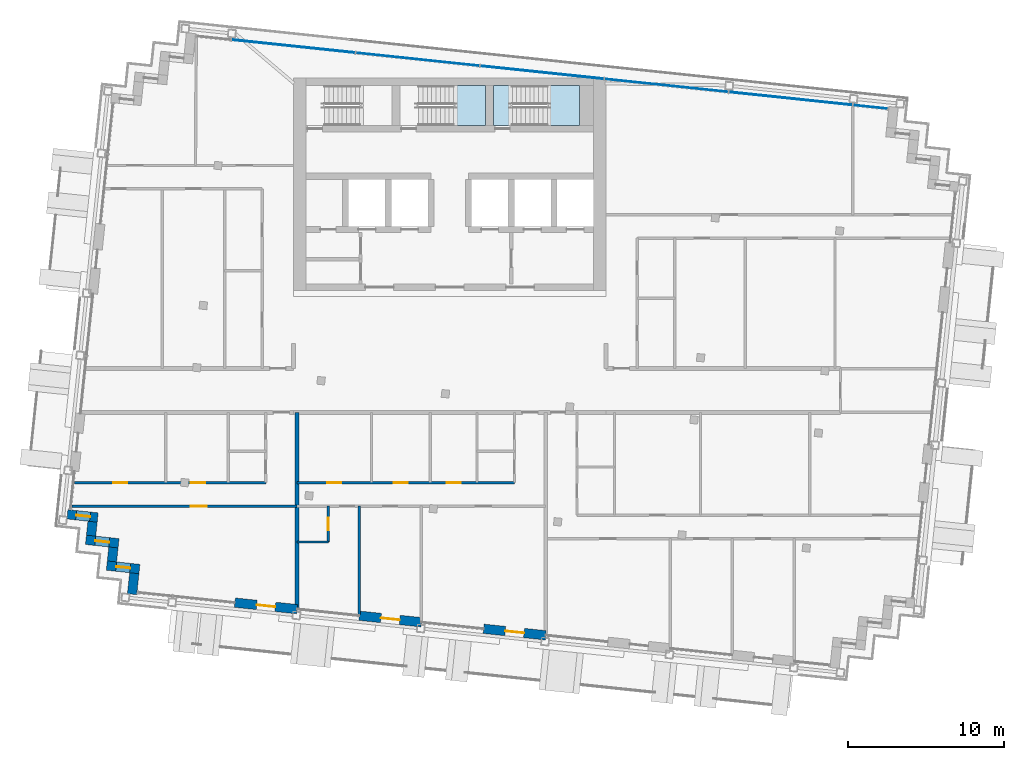
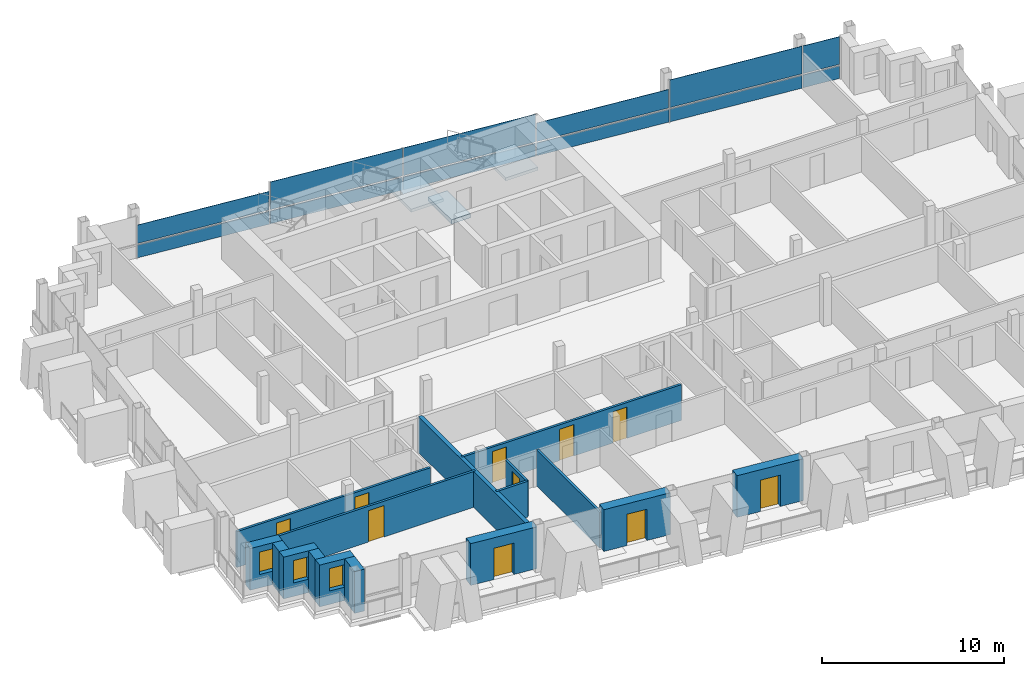
# One storey, part 8 of 16: 16 walls, 12 plates, 10 doors, 3 slabs, 3 windows, 13 openings, 3 elements without a shape of their own.
"""IFC4 building model written with IfcOpenShell, lengths in metres."""

from ifc_helpers import new_model, si_unit, direction, frame, frame_2d, origin, origin_2d, place, context, subcontext, project, spatial, polyline, rectangle, outline, extrude, material, layer, layer_set, type_object, element, fill, aggregate, save


model = new_model("IFC4")

# Units and contexts
model_context = context("Model", 3, precision=1e-05, world=origin(), true_north=direction((0.0, 1.0)))
body_context = subcontext(model_context, "Body", "Model", "MODEL_VIEW")
ifc_project = project(units=[si_unit("LENGTHUNIT", "METRE"), si_unit("AREAUNIT", "SQUARE_METRE"), si_unit("VOLUMEUNIT", "CUBIC_METRE"), si_unit("PLANEANGLEUNIT", "RADIAN"), si_unit("MASSUNIT", "GRAM", prefix="KILO")], contexts=[model_context])

# Site, building, storey
site_placement = place(None, origin())
site = spatial("IfcSite", under=ifc_project, at=site_placement, CompositionType="ELEMENT")
building_placement = place(site_placement, origin())
building = spatial("IfcBuilding", under=site, at=building_placement, Name="Vidyagriha Tower", CompositionType="ELEMENT")
storey_placement = place(building_placement, frame((0.0, 0.0, 278.699951171875)))
storey = spatial("IfcBuildingStorey", under=building, at=storey_placement, Name="L73", CompositionType="ELEMENT", Elevation=278.699951171875)

# Curtain wall, plates
ifc_material_1 = material(Name="Aluminium and glass curtain wall", Category="aluminium")
curtain_wall_type = type_object("IfcCurtainWallType", Name="Dwelling skin unitised curtain wall", PredefinedType="USERDEFINED", material=ifc_material_1)
curtain_wall_placement = place(storey_placement, origin())
curtain_wall = element("IfcCurtainWall", 1, at=curtain_wall_placement, inside=storey, type_object=curtain_wall_type, Name="CW1 dwelling skin", ObjectType="UNITISED", PredefinedType="USERDEFINED")
ifc_material_2 = material(Name="Glass dark ceramic-fritted spandrel", Category="glass")
ifc_layer_1 = layer(ifc_material_2, 0.0400390625)
ifc_layer_set_1 = layer_set([ifc_layer_1], Name="Glass dark ceramic-fritted spandrel")
plate_type_1 = type_object("IfcPlateType", Name="Ceramic-fritted spandrel panel", PredefinedType="CURTAIN_PANEL", material=ifc_layer_set_1)
plate_1_placement = place(storey_placement, frame((26.922607421875, 18.14599609375, 0.0), z_axis=(0.0, 0.0, 1.0), x_axis=(-0.994521854435, 0.104528852722, 0.0)))
plate_1 = element("IfcPlate", 2, at=plate_1_placement, type_object=plate_type_1, Name="CW1 panel 1.1", PredefinedType="CURTAIN_PANEL", context=body_context, shape_type="SweptSolid", body=[
    extrude(rectangle(XDim=2.195068359375, YDim=0.0400390625, at=origin_2d()), origin(), (0.0, 0.0, 1.0), 0.85009765625),
])
plate_2_placement = place(storey_placement, frame((13.862060546875, 19.518798828125, 0.0), z_axis=(0.0, 0.0, 1.0), x_axis=(-0.994521854435, 0.104528852722, 0.0)))
plate_2 = element("IfcPlate", 3, at=plate_2_placement, type_object=plate_type_1, Name="CW1 panel 3.1", PredefinedType="CURTAIN_PANEL", context=body_context, shape_type="SweptSolid", body=[
    extrude(rectangle(XDim=7.929931640625, YDim=0.0400390625, at=origin_2d()), origin(), (0.0, 0.0, 1.0), 0.85009765625),
])
plate_3_placement = place(storey_placement, frame((-2.05029296875, 21.191162109375, 0.0), z_axis=(0.0, 0.0, 1.0), x_axis=(-0.994521854435, 0.104528852722, 0.0)))
plate_3 = element("IfcPlate", 4, at=plate_3_placement, type_object=plate_type_1, Name="CW1 panel 5.1", PredefinedType="CURTAIN_PANEL", context=body_context, shape_type="SweptSolid", body=[
    extrude(rectangle(XDim=7.929931640625, YDim=0.0400390625, at=origin_2d()), origin(), (0.0, 0.0, 1.0), 0.85009765625),
])
ifc_material_3 = material(Name="Glass dark ceramic-fritted", Category="glass")
ifc_layer_2 = layer(ifc_material_3, 0.028076171875)
ifc_layer_set_2 = layer_set([ifc_layer_2], Name="Glass dark ceramic-fritted")
plate_type_2 = type_object("IfcPlateType", Name="Dark ceramic-fritted vision glass panel", PredefinedType="CURTAIN_PANEL", material=ifc_layer_set_2)
plate_4_placement = place(storey_placement, frame((26.922607421875, 18.14599609375, 0.949951171875), z_axis=(0.0, 0.0, 1.0), x_axis=(-0.994521854435, 0.104528852722, 0.0)))
plate_4 = element("IfcPlate", 5, at=plate_4_placement, type_object=plate_type_2, Name="CW1 panel 1.2", PredefinedType="CURTAIN_PANEL", context=body_context, shape_type="SweptSolid", body=[
    extrude(rectangle(XDim=2.195068359375, YDim=0.028076171875, at=origin_2d()), origin(), (0.0, 0.0, 1.0), 1.85009765625),
])
plate_5_placement = place(storey_placement, frame((21.818359375, 18.6826171875, 0.949951171875), z_axis=(0.0, 0.0, 1.0), x_axis=(-0.994521854435, 0.104528852722, 0.0)))
plate_5 = element("IfcPlate", 6, at=plate_5_placement, type_object=plate_type_2, Name="CW1 panel 2.2", PredefinedType="CURTAIN_PANEL", context=body_context, shape_type="SweptSolid", body=[
    extrude(rectangle(XDim=7.929931640625, YDim=0.028076171875, at=origin_2d()), origin(), (0.0, 0.0, 1.0), 1.85009765625),
])
plate_6_placement = place(storey_placement, frame((13.862060546875, 19.518798828125, 0.949951171875), z_axis=(0.0, 0.0, 1.0), x_axis=(-0.994521854435, 0.104528852722, 0.0)))
plate_6 = element("IfcPlate", 7, at=plate_6_placement, type_object=plate_type_2, Name="CW1 panel 3.2", PredefinedType="CURTAIN_PANEL", context=body_context, shape_type="SweptSolid", body=[
    extrude(rectangle(XDim=7.929931640625, YDim=0.028076171875, at=origin_2d()), origin(), (0.0, 0.0, 1.0), 1.23779296875),
])
plate_7_placement = place(storey_placement, frame((5.906005859375, 20.35498046875, 0.949951171875), z_axis=(0.0, 0.0, 1.0), x_axis=(-0.994521854435, 0.104528852722, 0.0)))
plate_7 = element("IfcPlate", 8, at=plate_7_placement, type_object=plate_type_2, Name="CW1 panel 4.2", PredefinedType="CURTAIN_PANEL", context=body_context, shape_type="SweptSolid", body=[
    extrude(rectangle(XDim=7.929931640625, YDim=0.028076171875, at=origin_2d()), origin(), (0.0, 0.0, 1.0), 1.85009765625),
])
plate_8_placement = place(storey_placement, frame((-2.05029296875, 21.191162109375, 0.949951171875), z_axis=(0.0, 0.0, 1.0), x_axis=(-0.994521854435, 0.104528852722, 0.0)))
plate_8 = element("IfcPlate", 9, at=plate_8_placement, type_object=plate_type_2, Name="CW1 panel 5.2", PredefinedType="CURTAIN_PANEL", context=body_context, shape_type="SweptSolid", body=[
    extrude(rectangle(XDim=7.929931640625, YDim=0.028076171875, at=origin_2d()), origin(), (0.0, 0.0, 1.0), 1.85009765625),
])
plate_9_placement = place(storey_placement, frame((-10.00634765625, 22.027587890625, 0.949951171875), z_axis=(0.0, 0.0, 1.0), x_axis=(-0.994521854435, 0.104528852722, 0.0)))
plate_9 = element("IfcPlate", 10, at=plate_9_placement, type_object=plate_type_2, Name="CW1 panel 6.2", PredefinedType="CURTAIN_PANEL", context=body_context, shape_type="SweptSolid", body=[
    extrude(rectangle(XDim=7.929931640625, YDim=0.028076171875, at=origin_2d()), origin(), (0.0, 0.0, 1.0), 1.23779296875),
])

# Slab
ifc_material_4 = material(Name="Concrete C40/50", Category="concrete")
ifc_layer_3 = layer(ifc_material_4, 0.280029296875)
ifc_layer_set_3 = layer_set([ifc_layer_3], Name="Concrete C40/50")
slab_type_1 = type_object("IfcSlabType", Name="Exit stair floor landing 280 mm", PredefinedType="LANDING", material=ifc_layer_set_3)
slab_1_placement = place(storey_placement, frame((0.0, 0.0, -0.280029296875)))
element("IfcSlab", 11, at=slab_1_placement, inside=storey, type_object=slab_type_1, Name="ST3 floor landing L73", PredefinedType="LANDING", context=body_context, shape_type="SweptSolid", body=[
    extrude(outline(polyline([(2.800048828125, 16.949951171875), (4.0, 16.949951171875), (4.0, 19.5), (2.800048828125, 19.5), (2.800048828125, 16.949951171875)])), origin(), (0.0, 0.0, 1.0), 0.280029296875),
])

# Stair, slab
ifc_material_5 = material(Name="Concrete C40/50", Category="concrete")
stair_type = type_object("IfcStairType", Name="Exit stair, half-turn, precast flights", PredefinedType="HALF_TURN_STAIR", material=ifc_material_5)
stair_1_placement = place(storey_placement, origin())
stair_1 = element("IfcStair", 12, at=stair_1_placement, inside=storey, type_object=stair_type, Name="L73 Exit Stair ST2", PredefinedType="HALF_TURN_STAIR")
ifc_material_6 = material(Name="Concrete C40/50", Category="concrete")
ifc_layer_4 = layer(ifc_material_6, 0.199951171875)
ifc_layer_set_4 = layer_set([ifc_layer_4], Name="Concrete C40/50")
slab_type_2 = type_object("IfcSlabType", Name="Exit stair landing 200 mm", PredefinedType="LANDING", material=ifc_layer_set_4)
slab_2_placement = place(storey_placement, frame((0.0, 0.0, 1.400146484375)))
slab_2 = element("IfcSlab", 13, at=slab_2_placement, type_object=slab_type_2, Name="ST2 landing 1", PredefinedType="LANDING", context=body_context, shape_type="SweptSolid", body=[
    extrude(outline(polyline([(0.239990234375, 16.949951171875), (2.300048828125, 16.949951171875), (2.300048828125, 19.5), (0.239990234375, 19.5), (0.239990234375, 16.949951171875)])), origin(), (0.0, 0.0, 1.0), 0.199951171875),
])
aggregate(stair_1, [slab_2])

stair_2_placement = place(storey_placement, origin())
stair_2 = element("IfcStair", 14, at=stair_2_placement, inside=storey, type_object=stair_type, Name="L73 Exit Stair ST3", PredefinedType="HALF_TURN_STAIR")
slab_3_placement = place(storey_placement, frame((0.0, 0.0, 1.400146484375)))
slab_3 = element("IfcSlab", 15, at=slab_3_placement, type_object=slab_type_2, Name="ST3 landing 1", PredefinedType="LANDING", context=body_context, shape_type="SweptSolid", body=[
    extrude(outline(polyline([(6.239990234375, 16.949951171875), (8.300048828125, 16.949951171875), (8.300048828125, 19.5), (6.239990234375, 19.5), (6.239990234375, 16.949951171875)])), origin(), (0.0, 0.0, 1.0), 0.199951171875),
])
aggregate(stair_2, [slab_3])

# Plate
ifc_material_7 = material(Name="Aluminium black anodised", Category="aluminium")
ifc_layer_5 = layer(ifc_material_7, 0.06005859375)
ifc_layer_set_5 = layer_set([ifc_layer_5], Name="Aluminium black anodised")
plate_type_3 = type_object("IfcPlateType", Name="Operable black-metal vent panel", PredefinedType="CURTAIN_PANEL", material=ifc_layer_set_5)
plate_10_placement = place(storey_placement, frame((21.818359375, 18.6826171875, 0.0), z_axis=(0.0, 0.0, 1.0), x_axis=(-0.994521854435, 0.104528852722, 0.0)))
plate_10 = element("IfcPlate", 16, at=plate_10_placement, type_object=plate_type_3, Name="CW1 panel 2.1", PredefinedType="CURTAIN_PANEL", context=body_context, shape_type="SweptSolid", body=[
    extrude(rectangle(XDim=7.929931640625, YDim=0.06005859375, at=origin_2d()), origin(), (0.0, 0.0, 1.0), 0.85009765625),
])

plate_11_placement = place(storey_placement, frame((5.906005859375, 20.35498046875, 0.0), z_axis=(0.0, 0.0, 1.0), x_axis=(-0.994521854435, 0.104528852722, 0.0)))
plate_11 = element("IfcPlate", 17, at=plate_11_placement, type_object=plate_type_3, Name="CW1 panel 4.1", PredefinedType="CURTAIN_PANEL", context=body_context, shape_type="SweptSolid", body=[
    extrude(rectangle(XDim=7.929931640625, YDim=0.06005859375, at=origin_2d()), origin(), (0.0, 0.0, 1.0), 0.85009765625),
])

plate_12_placement = place(storey_placement, frame((-10.00634765625, 22.027587890625, 0.0), z_axis=(0.0, 0.0, 1.0), x_axis=(-0.994521854435, 0.104528852722, 0.0)))
plate_12 = element("IfcPlate", 18, at=plate_12_placement, type_object=plate_type_3, Name="CW1 panel 6.1", PredefinedType="CURTAIN_PANEL", context=body_context, shape_type="SweptSolid", body=[
    extrude(rectangle(XDim=7.929931640625, YDim=0.06005859375, at=origin_2d()), origin(), (0.0, 0.0, 1.0), 0.85009765625),
])

aggregate(curtain_wall, [plate_1, plate_4, plate_10, plate_5, plate_2, plate_6, plate_11, plate_7, plate_3, plate_8, plate_12, plate_9])

# Wall, opening, window
ifc_material_8 = material(Name="Precast concrete C40/50 with brick facing", Category="concrete")
ifc_layer_6 = layer(ifc_material_8, 0.60009765625)
ifc_layer_set_6 = layer_set([ifc_layer_6], Name="Precast concrete C40/50 with brick facing")
wall_type_1 = type_object("IfcWallType", Name="Brick-faced precast wall 600", PredefinedType="STANDARD", material=ifc_layer_set_6)
wall_1_placement = place(storey_placement, frame((-24.466552734375, -7.92529296875, 0.0), z_axis=(0.0, 0.0, 1.0), x_axis=(0.994521219184, -0.104534896528, 0.0)))
wall_1 = element("IfcWall", 19, at=wall_1_placement, inside=storey, type_object=wall_type_1, Name="Stepped corner wall L73 R15", PredefinedType="STANDARD", context=body_context, shape_type="SweptSolid", body=[
    extrude(rectangle(XDim=1.9501953125, YDim=0.60009765625, at=frame_2d((0.97509765625, 0.0))), origin(), (0.0, 0.0, 1.0), 2.800048828125),
])
opening_1_placement = place(wall_1_placement, frame((0.56005859375, 0.0, 0.89990234375)))
opening_1 = element("IfcOpeningElement", 20, at=opening_1_placement, cuts=wall_1, Name="Opening WN1", PredefinedType="OPENING", context=body_context, shape_type="SweptSolid", body=[
    extrude(rectangle(XDim=0.89990234375, YDim=1.5, at=frame_2d((0.449951171875, 0.75))), frame((0.0, 0.31005859375, 0.0), z_axis=(0.0, -1.0, 0.0), x_axis=(1.0, 0.0, 0.0)), (0.0, 0.0, 1.0), 0.6201171875),
])
ifc_material_9 = material(Name="Aluminium and glass window", Category="aluminium")
window_type = type_object("IfcWindowType", Name="Reveal window 900x1500", PartitioningType="NOTDEFINED", PredefinedType="WINDOW", material=ifc_material_9)
window_1_placement = place(opening_1_placement, origin())
window_1 = element("IfcWindow", 21, at=window_1_placement, inside=storey, type_object=window_type, Name="Reveal window L73 R15", OverallHeight=1.5, OverallWidth=0.89990234375, PartitioningType="SINGLE_PANEL", PredefinedType="WINDOW", context=body_context, shape_type="SweptSolid", body=[
    extrude(rectangle(XDim=0.89990234375, YDim=1.5, at=frame_2d((0.449951171875, 0.75))), frame((0.0, 0.030029296875, 0.0), z_axis=(0.0, -1.0, 0.0), x_axis=(1.0, 0.0, 0.0)), (0.0, 0.0, 1.0), 0.06005859375),
])
fill(opening_1, window_1)

# Wall
wall_2_placement = place(storey_placement, frame((-22.85693359375, -8.39599609375, 0.0), z_axis=(0.0, 0.0, 1.0), x_axis=(-0.104444712852, -0.994530694326, 0.0)))
element("IfcWall", 22, at=wall_2_placement, inside=storey, type_object=wall_type_1, Name="Stepped corner wall L73 R16", PredefinedType="STANDARD", context=body_context, shape_type="SweptSolid", body=[
    extrude(rectangle(XDim=0.89990234375, YDim=0.60009765625, at=frame_2d((0.449951171875, 0.0))), origin(), (0.0, 0.0, 1.0), 2.800048828125),
])

# Wall, opening, window
wall_3_placement = place(storey_placement, frame((-23.28076171875, -9.55810546875, 0.0), z_axis=(0.0, 0.0, 1.0), x_axis=(0.994523910136, -0.104509292252, 0.0)))
wall_3 = element("IfcWall", 23, at=wall_3_placement, inside=storey, type_object=wall_type_1, Name="Stepped corner wall L73 R17", PredefinedType="STANDARD", context=body_context, shape_type="SweptSolid", body=[
    extrude(rectangle(XDim=2.10009765625, YDim=0.60009765625, at=frame_2d((1.050048828125, 0.0))), origin(), (0.0, 0.0, 1.0), 2.800048828125),
])
opening_2_placement = place(wall_3_placement, frame((0.60009765625, 0.0, 0.89990234375)))
opening_2 = element("IfcOpeningElement", 24, at=opening_2_placement, cuts=wall_3, Name="Opening WN1", PredefinedType="OPENING", context=body_context, shape_type="SweptSolid", body=[
    extrude(rectangle(XDim=0.89990234375, YDim=1.5, at=frame_2d((0.449951171875, 0.75))), frame((0.0, 0.31005859375, 0.0), z_axis=(0.0, -1.0, 0.0), x_axis=(1.0, 0.0, 0.0)), (0.0, 0.0, 1.0), 0.6201171875),
])
window_2_placement = place(opening_2_placement, origin())
window_2 = element("IfcWindow", 25, at=window_2_placement, inside=storey, type_object=window_type, Name="Reveal window L73 R17", OverallHeight=1.5, OverallWidth=0.89990234375, PartitioningType="SINGLE_PANEL", PredefinedType="WINDOW", context=body_context, shape_type="SweptSolid", body=[
    extrude(rectangle(XDim=0.89990234375, YDim=1.5, at=frame_2d((0.449951171875, 0.75))), frame((0.0, 0.030029296875, 0.0), z_axis=(0.0, -1.0, 0.0), x_axis=(1.0, 0.0, 0.0)), (0.0, 0.0, 1.0), 0.06005859375),
])
fill(opening_2, window_2)

# Wall
wall_4_placement = place(storey_placement, frame((-21.52197265625, -10.04443359375, 0.0), z_axis=(0.0, 0.0, 1.0), x_axis=(-0.104416541099, -0.994533652495, 0.0)))
element("IfcWall", 26, at=wall_4_placement, inside=storey, type_object=wall_type_1, Name="Stepped corner wall L73 R18", PredefinedType="STANDARD", context=body_context, shape_type="SweptSolid", body=[
    extrude(rectangle(XDim=0.900146484375, YDim=0.60009765625, at=frame_2d((0.4501953125, 0.0))), origin(), (0.0, 0.0, 1.0), 2.800048828125),
])

# Wall, opening, window
wall_5_placement = place(storey_placement, frame((-21.94580078125, -11.20654296875, 0.0), z_axis=(0.0, 0.0, 1.0), x_axis=(0.994511820899, -0.104624271047, 0.0)))
wall_5 = element("IfcWall", 27, at=wall_5_placement, inside=storey, type_object=wall_type_1, Name="Stepped corner wall L73 R19", PredefinedType="STANDARD", context=body_context, shape_type="SweptSolid", body=[
    extrude(rectangle(XDim=2.10009765625, YDim=0.60009765625, at=frame_2d((1.050048828125, 0.0))), origin(), (0.0, 0.0, 1.0), 2.800048828125),
])
opening_3_placement = place(wall_5_placement, frame((0.60009765625, 0.0, 0.89990234375)))
opening_3 = element("IfcOpeningElement", 28, at=opening_3_placement, cuts=wall_5, Name="Opening WN1", PredefinedType="OPENING", context=body_context, shape_type="SweptSolid", body=[
    extrude(rectangle(XDim=0.89990234375, YDim=1.5, at=frame_2d((0.449951171875, 0.75))), frame((0.0, 0.31005859375, 0.0), z_axis=(0.0, -1.0, 0.0), x_axis=(1.0, 0.0, 0.0)), (0.0, 0.0, 1.0), 0.6201171875),
])
window_3_placement = place(opening_3_placement, origin())
window_3 = element("IfcWindow", 29, at=window_3_placement, inside=storey, type_object=window_type, Name="Reveal window L73 R19", OverallHeight=1.5, OverallWidth=0.89990234375, PartitioningType="SINGLE_PANEL", PredefinedType="WINDOW", context=body_context, shape_type="SweptSolid", body=[
    extrude(rectangle(XDim=0.89990234375, YDim=1.5, at=frame_2d((0.449951171875, 0.75))), frame((0.0, 0.030029296875, 0.0), z_axis=(0.0, -1.0, 0.0), x_axis=(1.0, 0.0, 0.0)), (0.0, 0.0, 1.0), 0.06005859375),
])
fill(opening_3, window_3)

# Wall
wall_6_placement = place(storey_placement, frame((-20.18701171875, -11.693115234375, 0.0), z_axis=(0.0, 0.0, 1.0), x_axis=(-0.1043365026, -0.994542052517, 0.0)))
element("IfcWall", 30, at=wall_6_placement, inside=storey, type_object=wall_type_1, Name="Stepped corner wall L73 R20", PredefinedType="STANDARD", context=body_context, shape_type="SweptSolid", body=[
    extrude(rectangle(XDim=1.35009765625, YDim=0.60009765625, at=frame_2d((0.675048828125, 0.0))), origin(), (0.0, 0.0, 1.0), 2.800048828125),
])

# Wall, opening, door
wall_7_placement = place(storey_placement, frame((-13.74853515625, -13.576416015625, 0.0), z_axis=(0.0, 0.0, 1.0), x_axis=(0.994519156568, -0.104554517933, 0.0)))
wall_7 = element("IfcWall", 31, at=wall_7_placement, inside=storey, type_object=wall_type_1, Name="Brick door bay wall L73 R21.3", PredefinedType="STANDARD", context=body_context, shape_type="SweptSolid", body=[
    extrude(rectangle(XDim=4.0, YDim=0.60009765625, at=frame_2d((2.0, 0.0))), origin(), (0.0, 0.0, 1.0), 2.800048828125),
])
opening_4_placement = place(wall_7_placement, frame((1.39990234375, 0.0, 0.0)))
opening_4 = element("IfcOpeningElement", 32, at=opening_4_placement, cuts=wall_7, Name="Opening D73-55", PredefinedType="OPENING", context=body_context, shape_type="SweptSolid", body=[
    extrude(rectangle(XDim=1.199951171875, YDim=2.10009765625, at=frame_2d((0.60009765625, 1.050048828125))), frame((0.0, 0.31005859375, 0.0), z_axis=(0.0, -1.0, 0.0), x_axis=(1.0, 0.0, 0.0)), (0.0, 0.0, 1.0), 0.6201171875),
])
ifc_material_10 = material(Name="Aluminium framed glazed sliding door", Category="aluminium")
door_type_1 = type_object("IfcDoorType", Name="Balcony sliding door 1200x2100", OperationType="NOTDEFINED", PredefinedType="DOOR", material=ifc_material_10)
door_1_placement = place(opening_4_placement, origin())
door_1 = element("IfcDoor", 33, at=door_1_placement, inside=storey, type_object=door_type_1, Name="Door D73-55", OperationType="SLIDING_TO_LEFT", OverallHeight=2.10009765625, OverallWidth=1.199951171875, PredefinedType="DOOR", context=body_context, shape_type="SweptSolid", body=[
    extrude(rectangle(XDim=1.199951171875, YDim=2.10009765625, at=frame_2d((0.60009765625, 1.050048828125))), frame((0.0, 0.02490234375, 0.0), z_axis=(0.0, -1.0, 0.0), x_axis=(1.0, 0.0, 0.0)), (0.0, 0.0, 1.0), 0.050048828125),
])
fill(opening_4, door_1)

wall_8_placement = place(storey_placement, frame((-5.792236328125, -14.412841796875, 0.0), z_axis=(0.0, 0.0, 1.0), x_axis=(0.99452550138, -0.104494148666, 0.0)))
wall_8 = element("IfcWall", 34, at=wall_8_placement, inside=storey, type_object=wall_type_1, Name="Brick door bay wall L73 R21.5", PredefinedType="STANDARD", context=body_context, shape_type="SweptSolid", body=[
    extrude(rectangle(XDim=4.0, YDim=0.60009765625, at=frame_2d((2.0, 0.0))), origin(), (0.0, 0.0, 1.0), 2.800048828125),
])
opening_5_placement = place(wall_8_placement, frame((1.39990234375, 0.0, 0.0)))
opening_5 = element("IfcOpeningElement", 35, at=opening_5_placement, cuts=wall_8, Name="Opening D73-56", PredefinedType="OPENING", context=body_context, shape_type="SweptSolid", body=[
    extrude(rectangle(XDim=1.199951171875, YDim=2.10009765625, at=frame_2d((0.60009765625, 1.050048828125))), frame((0.0, 0.31005859375, 0.0), z_axis=(0.0, -1.0, 0.0), x_axis=(1.0, 0.0, 0.0)), (0.0, 0.0, 1.0), 0.6201171875),
])
door_2_placement = place(opening_5_placement, origin())
door_2 = element("IfcDoor", 36, at=door_2_placement, inside=storey, type_object=door_type_1, Name="Door D73-56", OperationType="SLIDING_TO_LEFT", OverallHeight=2.10009765625, OverallWidth=1.199951171875, PredefinedType="DOOR", context=body_context, shape_type="SweptSolid", body=[
    extrude(rectangle(XDim=1.199951171875, YDim=2.10009765625, at=frame_2d((0.60009765625, 1.050048828125))), frame((0.0, 0.02490234375, 0.0), z_axis=(0.0, -1.0, 0.0), x_axis=(1.0, 0.0, 0.0)), (0.0, 0.0, 1.0), 0.050048828125),
])
fill(opening_5, door_2)

wall_9_placement = place(storey_placement, frame((2.163818359375, -15.2490234375, 0.0), z_axis=(0.0, 0.0, 1.0), x_axis=(0.99452550138, -0.104494148666, 0.0)))
wall_9 = element("IfcWall", 37, at=wall_9_placement, inside=storey, type_object=wall_type_1, Name="Brick door bay wall L73 R21.7", PredefinedType="STANDARD", context=body_context, shape_type="SweptSolid", body=[
    extrude(rectangle(XDim=4.0, YDim=0.60009765625, at=frame_2d((2.0, 0.0))), origin(), (0.0, 0.0, 1.0), 2.800048828125),
])
opening_6_placement = place(wall_9_placement, frame((1.39990234375, 0.0, 0.0)))
opening_6 = element("IfcOpeningElement", 38, at=opening_6_placement, cuts=wall_9, Name="Opening D73-57", PredefinedType="OPENING", context=body_context, shape_type="SweptSolid", body=[
    extrude(rectangle(XDim=1.199951171875, YDim=2.10009765625, at=frame_2d((0.60009765625, 1.050048828125))), frame((0.0, 0.31005859375, 0.0), z_axis=(0.0, -1.0, 0.0), x_axis=(1.0, 0.0, 0.0)), (0.0, 0.0, 1.0), 0.6201171875),
])
door_3_placement = place(opening_6_placement, origin())
door_3 = element("IfcDoor", 39, at=door_3_placement, inside=storey, type_object=door_type_1, Name="Door D73-57", OperationType="SLIDING_TO_LEFT", OverallHeight=2.10009765625, OverallWidth=1.199951171875, PredefinedType="DOOR", context=body_context, shape_type="SweptSolid", body=[
    extrude(rectangle(XDim=1.199951171875, YDim=2.10009765625, at=frame_2d((0.60009765625, 1.050048828125))), frame((0.0, 0.02490234375, 0.0), z_axis=(0.0, -1.0, 0.0), x_axis=(1.0, 0.0, 0.0)), (0.0, 0.0, 1.0), 0.050048828125),
])
fill(opening_6, door_3)

# Wall
ifc_material_11 = material(Name="Fired clay brick masonry", Category="masonry")
ifc_layer_7 = layer(ifc_material_11, 0.25)
ifc_layer_set_7 = layer_set([ifc_layer_7], Name="Fired clay brick masonry")
wall_type_2 = type_object("IfcWallType", Name="Fired clay brick demising wall 250", PredefinedType="PARTITIONING", material=ifc_layer_set_7)
wall_10_placement = place(storey_placement, frame((-9.77001953125, -1.39990234375, 0.0), z_axis=(0.0, 0.0, 1.0), x_axis=(0.0, -1.0, 0.0)))
element("IfcWall", 40, at=wall_10_placement, inside=storey, type_object=wall_type_2, Name="Wall all-L73-w034", PredefinedType="PARTITIONING", context=body_context, shape_type="SweptSolid", body=[
    extrude(rectangle(XDim=12.50439453125, YDim=0.25, at=frame_2d((6.252197265625, 0.0))), origin(), (0.0, 0.0, 1.0), 2.400146484375),
])

# Wall, openings, doors
ifc_material_12 = material(Name="Gypsum board partition")
ifc_layer_8 = layer(ifc_material_12, 0.14990234375)
ifc_layer_set_8 = layer_set([ifc_layer_8], Name="Gypsum board partition")
wall_type_3 = type_object("IfcWallType", Name="Gypsum board partition 150", PredefinedType="PARTITIONING", material=ifc_layer_set_8)
wall_11_placement = place(storey_placement, frame((-24.0234375, -5.89990234375, 0.0)))
wall_11 = element("IfcWall", 41, at=wall_11_placement, inside=storey, type_object=wall_type_3, Name="Wall all-L73-w007", PredefinedType="PARTITIONING", context=body_context, shape_type="SweptSolid", body=[
    extrude(rectangle(XDim=12.25341796875, YDim=0.14990234375, at=frame_2d((6.126708984375, 0.0))), origin(), (0.0, 0.0, 1.0), 2.400146484375),
])
opening_7_placement = place(wall_11_placement, frame((7.46484375, 0.0, 0.0)))
opening_7 = element("IfcOpeningElement", 42, at=opening_7_placement, cuts=wall_11, Name="Opening D73-13", PredefinedType="OPENING", context=body_context, shape_type="SweptSolid", body=[
    extrude(rectangle(XDim=0.89990234375, YDim=2.10009765625, at=frame_2d((0.449951171875, 1.050048828125))), frame((0.0, 0.0849609375, 0.0), z_axis=(0.0, -1.0, 0.0), x_axis=(1.0, 0.0, 0.0)), (0.0, 0.0, 1.0), 0.169921875),
])
opening_8_placement = place(wall_11_placement, frame((2.494384765625, 0.0, 0.0)))
opening_8 = element("IfcOpeningElement", 43, at=opening_8_placement, cuts=wall_11, Name="Opening D73-14", PredefinedType="OPENING", context=body_context, shape_type="SweptSolid", body=[
    extrude(rectangle(XDim=0.89990234375, YDim=2.10009765625, at=frame_2d((0.449951171875, 1.050048828125))), frame((0.0, 0.0849609375, 0.0), z_axis=(0.0, -1.0, 0.0), x_axis=(1.0, 0.0, 0.0)), (0.0, 0.0, 1.0), 0.169921875),
])
ifc_material_13 = material(Name="Timber door leaf", Category="wood")
door_type_2 = type_object("IfcDoorType", Name="Room door 900x2100", OperationType="NOTDEFINED", PredefinedType="DOOR", material=ifc_material_13)
door_4_placement = place(opening_7_placement, origin())
door_4 = element("IfcDoor", 44, at=door_4_placement, inside=storey, type_object=door_type_2, Name="Door D73-13", OperationType="SINGLE_SWING_RIGHT", OverallHeight=2.10009765625, OverallWidth=0.89990234375, PredefinedType="DOOR", context=body_context, shape_type="SweptSolid", body=[
    extrude(rectangle(XDim=0.89990234375, YDim=2.10009765625, at=frame_2d((0.449951171875, 1.050048828125))), frame((0.0, 0.02490234375, 0.0), z_axis=(0.0, -1.0, 0.0), x_axis=(1.0, 0.0, 0.0)), (0.0, 0.0, 1.0), 0.050048828125),
])
fill(opening_7, door_4)
door_5_placement = place(opening_8_placement, origin())
door_5 = element("IfcDoor", 45, at=door_5_placement, inside=storey, type_object=door_type_2, Name="Door D73-14", OperationType="SINGLE_SWING_LEFT", OverallHeight=2.10009765625, OverallWidth=0.89990234375, PredefinedType="DOOR", context=body_context, shape_type="SweptSolid", body=[
    extrude(rectangle(XDim=0.89990234375, YDim=2.10009765625, at=frame_2d((0.449951171875, 1.050048828125))), frame((0.0, 0.02490234375, 0.0), z_axis=(0.0, -1.0, 0.0), x_axis=(1.0, 0.0, 0.0)), (0.0, 0.0, 1.0), 0.050048828125),
])
fill(opening_8, door_5)

# Wall, opening, door
wall_12_placement = place(storey_placement, frame((-9.77001953125, -7.39990234375, 0.0), z_axis=(0.0, 0.0, 1.0), x_axis=(-1.0, 0.0, 0.0)))
wall_12 = element("IfcWall", 46, at=wall_12_placement, inside=storey, type_object=wall_type_3, Name="Wall all-L73-w010", PredefinedType="PARTITIONING", context=body_context, shape_type="SweptSolid", body=[
    extrude(rectangle(XDim=14.4111328125, YDim=0.14990234375, at=frame_2d((7.20556640625, 0.0))), origin(), (0.0, 0.0, 1.0), 2.400146484375),
])
opening_9_placement = place(wall_12_placement, frame((5.78857421875, 0.0, 0.0)))
opening_9 = element("IfcOpeningElement", 47, at=opening_9_placement, cuts=wall_12, Name="Opening D73-15", PredefinedType="OPENING", context=body_context, shape_type="SweptSolid", body=[
    extrude(rectangle(XDim=1.0, YDim=2.10009765625, at=frame_2d((0.5, 1.050048828125))), frame((0.0, 0.0849609375, 0.0), z_axis=(0.0, -1.0, 0.0), x_axis=(1.0, 0.0, 0.0)), (0.0, 0.0, 1.0), 0.169921875),
])
ifc_material_14 = material(Name="Timber door leaf", Category="wood")
door_type_3 = type_object("IfcDoorType", Name="Room door 1000x2100", OperationType="NOTDEFINED", PredefinedType="DOOR", material=ifc_material_14)
door_6_placement = place(opening_9_placement, origin())
door_6 = element("IfcDoor", 48, at=door_6_placement, inside=storey, type_object=door_type_3, Name="Door D73-15", OperationType="SINGLE_SWING_LEFT", OverallHeight=2.10009765625, OverallWidth=1.0, PredefinedType="DOOR", context=body_context, shape_type="SweptSolid", body=[
    extrude(rectangle(XDim=1.0, YDim=2.10009765625, at=frame_2d((0.5, 1.050048828125))), frame((0.0, 0.02490234375, 0.0), z_axis=(0.0, -1.0, 0.0), x_axis=(1.0, 0.0, 0.0)), (0.0, 0.0, 1.0), 0.050048828125),
])
fill(opening_9, door_6)

# Wall, openings, doors
wall_13_placement = place(storey_placement, frame((-9.77001953125, -5.89990234375, 0.0)))
wall_13 = element("IfcWall", 49, at=wall_13_placement, inside=storey, type_object=wall_type_3, Name="Wall all-L73-w020", PredefinedType="PARTITIONING", context=body_context, shape_type="SweptSolid", body=[
    extrude(rectangle(XDim=13.912109375, YDim=0.14990234375, at=frame_2d((6.9560546875, 0.0))), origin(), (0.0, 0.0, 1.0), 2.400146484375),
])
opening_10_placement = place(wall_13_placement, frame((9.56201171875, 0.0, 0.0)))
opening_10 = element("IfcOpeningElement", 50, at=opening_10_placement, cuts=wall_13, Name="Opening D73-19", PredefinedType="OPENING", context=body_context, shape_type="SweptSolid", body=[
    extrude(rectangle(XDim=0.89990234375, YDim=2.10009765625, at=frame_2d((0.449951171875, 1.050048828125))), frame((0.0, 0.0849609375, 0.0), z_axis=(0.0, -1.0, 0.0), x_axis=(1.0, 0.0, 0.0)), (0.0, 0.0, 1.0), 0.169921875),
])
opening_11_placement = place(wall_13_placement, frame((6.18701171875, 0.0, 0.0)))
opening_11 = element("IfcOpeningElement", 51, at=opening_11_placement, cuts=wall_13, Name="Opening D73-20", PredefinedType="OPENING", context=body_context, shape_type="SweptSolid", body=[
    extrude(rectangle(XDim=0.89990234375, YDim=2.10009765625, at=frame_2d((0.449951171875, 1.050048828125))), frame((0.0, 0.0849609375, 0.0), z_axis=(0.0, -1.0, 0.0), x_axis=(1.0, 0.0, 0.0)), (0.0, 0.0, 1.0), 0.169921875),
])
opening_12_placement = place(wall_13_placement, frame((1.930908203125, 0.0, 0.0)))
opening_12 = element("IfcOpeningElement", 52, at=opening_12_placement, cuts=wall_13, Name="Opening D73-21", PredefinedType="OPENING", context=body_context, shape_type="SweptSolid", body=[
    extrude(rectangle(XDim=0.89990234375, YDim=2.10009765625, at=frame_2d((0.449951171875, 1.050048828125))), frame((0.0, 0.0849609375, 0.0), z_axis=(0.0, -1.0, 0.0), x_axis=(1.0, 0.0, 0.0)), (0.0, 0.0, 1.0), 0.169921875),
])
door_7_placement = place(opening_10_placement, origin())
door_7 = element("IfcDoor", 53, at=door_7_placement, inside=storey, type_object=door_type_2, Name="Door D73-19", OperationType="SINGLE_SWING_RIGHT", OverallHeight=2.10009765625, OverallWidth=0.89990234375, PredefinedType="DOOR", context=body_context, shape_type="SweptSolid", body=[
    extrude(rectangle(XDim=0.89990234375, YDim=2.10009765625, at=frame_2d((0.449951171875, 1.050048828125))), frame((0.0, 0.02490234375, 0.0), z_axis=(0.0, -1.0, 0.0), x_axis=(1.0, 0.0, 0.0)), (0.0, 0.0, 1.0), 0.050048828125),
])
fill(opening_10, door_7)
door_8_placement = place(opening_11_placement, origin())
door_8 = element("IfcDoor", 54, at=door_8_placement, inside=storey, type_object=door_type_2, Name="Door D73-20", OperationType="SINGLE_SWING_RIGHT", OverallHeight=2.10009765625, OverallWidth=0.89990234375, PredefinedType="DOOR", context=body_context, shape_type="SweptSolid", body=[
    extrude(rectangle(XDim=0.89990234375, YDim=2.10009765625, at=frame_2d((0.449951171875, 1.050048828125))), frame((0.0, 0.02490234375, 0.0), z_axis=(0.0, -1.0, 0.0), x_axis=(1.0, 0.0, 0.0)), (0.0, 0.0, 1.0), 0.050048828125),
])
fill(opening_11, door_8)
door_9_placement = place(opening_12_placement, origin())
door_9 = element("IfcDoor", 55, at=door_9_placement, inside=storey, type_object=door_type_2, Name="Door D73-21", OperationType="SINGLE_SWING_LEFT", OverallHeight=2.10009765625, OverallWidth=0.89990234375, PredefinedType="DOOR", context=body_context, shape_type="SweptSolid", body=[
    extrude(rectangle(XDim=0.89990234375, YDim=2.10009765625, at=frame_2d((0.449951171875, 1.050048828125))), frame((0.0, 0.02490234375, 0.0), z_axis=(0.0, -1.0, 0.0), x_axis=(1.0, 0.0, 0.0)), (0.0, 0.0, 1.0), 0.050048828125),
])
fill(opening_12, door_9)

# Wall
wall_14_placement = place(storey_placement, frame((-5.792236328125, -7.39990234375, 0.0), z_axis=(0.0, 0.0, 1.0), x_axis=(0.0, -1.0, 0.0)))
element("IfcWall", 56, at=wall_14_placement, inside=storey, type_object=wall_type_3, Name="Wall all-L73-w028", PredefinedType="PARTITIONING", context=body_context, shape_type="SweptSolid", body=[
    extrude(rectangle(XDim=6.933349609375, YDim=0.14990234375, at=frame_2d((3.466796875, 0.0))), origin(), (0.0, 0.0, 1.0), 2.400146484375),
])

# Wall, opening, door
wall_15_placement = place(storey_placement, frame((-7.77001953125, -7.39990234375, 0.0), z_axis=(0.0, 0.0, 1.0), x_axis=(0.0, -1.0, 0.0)))
wall_15 = element("IfcWall", 57, at=wall_15_placement, inside=storey, type_object=wall_type_3, Name="Wall all-L73-w030", PredefinedType="PARTITIONING", context=body_context, shape_type="SweptSolid", body=[
    extrude(rectangle(XDim=2.300048828125, YDim=0.14990234375, at=frame_2d((1.14990234375, 0.0))), origin(), (0.0, 0.0, 1.0), 2.400146484375),
])
opening_13_placement = place(wall_15_placement, frame((0.75, 0.0, 0.0)))
opening_13 = element("IfcOpeningElement", 58, at=opening_13_placement, cuts=wall_15, Name="Opening D73-25", PredefinedType="OPENING", context=body_context, shape_type="SweptSolid", body=[
    extrude(rectangle(XDim=0.800048828125, YDim=2.10009765625, at=frame_2d((0.39990234375, 1.050048828125))), frame((0.0, 0.0849609375, 0.0), z_axis=(0.0, -1.0, 0.0), x_axis=(1.0, 0.0, 0.0)), (0.0, 0.0, 1.0), 0.169921875),
])
ifc_material_15 = material(Name="Timber door leaf", Category="wood")
door_type_4 = type_object("IfcDoorType", Name="Bathroom door 800x2100", OperationType="NOTDEFINED", PredefinedType="DOOR", material=ifc_material_15)
door_10_placement = place(opening_13_placement, origin())
door_10 = element("IfcDoor", 59, at=door_10_placement, inside=storey, type_object=door_type_4, Name="Door D73-25", OperationType="SINGLE_SWING_LEFT", OverallHeight=2.10009765625, OverallWidth=0.800048828125, PredefinedType="DOOR", context=body_context, shape_type="SweptSolid", body=[
    extrude(rectangle(XDim=0.800048828125, YDim=2.10009765625, at=frame_2d((0.39990234375, 1.050048828125))), frame((0.0, 0.02490234375, 0.0), z_axis=(0.0, -1.0, 0.0), x_axis=(1.0, 0.0, 0.0)), (0.0, 0.0, 1.0), 0.050048828125),
])
fill(opening_13, door_10)

# Wall
wall_16_placement = place(storey_placement, frame((-7.77001953125, -9.699951171875, 0.0), z_axis=(0.0, 0.0, 1.0), x_axis=(-1.0, 0.0, 0.0)))
element("IfcWall", 60, at=wall_16_placement, inside=storey, type_object=wall_type_3, Name="Wall all-L73-w031", PredefinedType="PARTITIONING", context=body_context, shape_type="SweptSolid", body=[
    extrude(rectangle(XDim=2.0, YDim=0.14990234375, at=frame_2d((1.0, 0.0))), origin(), (0.0, 0.0, 1.0), 2.400146484375),
])

save(model, "model.ifc")
